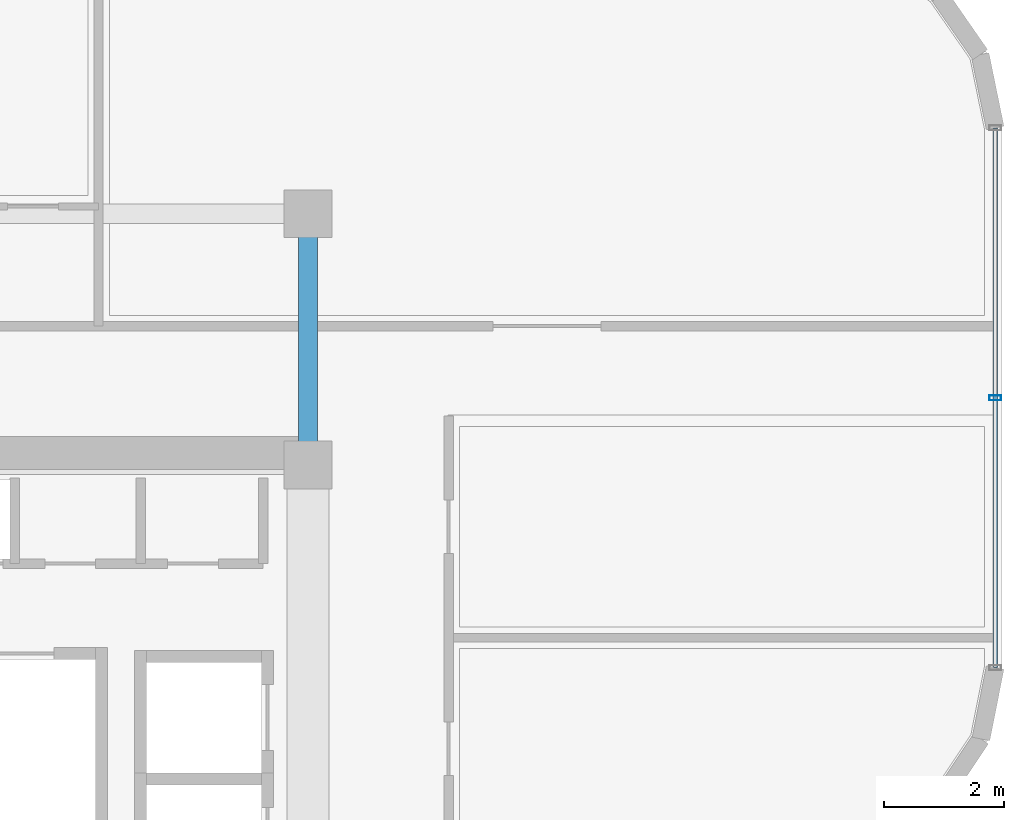
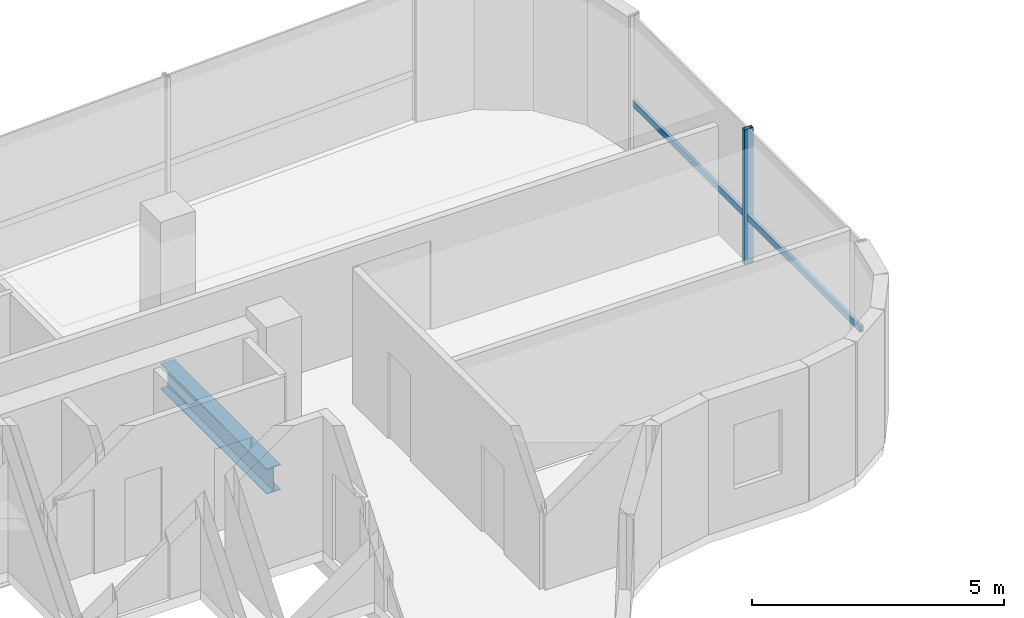
# One storey, part 9 of 20: 2 members, 1 beam, 1 element without a shape of its own.
"""IFC4 building model written with IfcOpenShell, lengths in metres."""

from ifc_helpers import new_model, si_unit, direction, frame, origin, origin_2d, place, context, subcontext, project, spatial, hollow_rectangle, i_section, extrude, source, transform, mapped, material, material_profile, profile_set, type_object, element, aggregate, save


model = new_model("IFC4")

# Units and contexts
model_context = context("Model", 3, precision=1e-05, world=origin(), true_north=direction((0.0, 1.0)))
body_context = subcontext(model_context, "Body", "Model", "MODEL_VIEW")
ifc_project = project(units=[si_unit("LENGTHUNIT", "METRE"), si_unit("AREAUNIT", "SQUARE_METRE"), si_unit("VOLUMEUNIT", "CUBIC_METRE"), si_unit("PLANEANGLEUNIT", "RADIAN"), si_unit("MASSUNIT", "GRAM", prefix="KILO")], contexts=[model_context])

# Site, building, storey
site_placement = place(None, origin())
site = spatial("IfcSite", under=ifc_project, at=site_placement, CompositionType="ELEMENT")
building_placement = place(site_placement, origin())
building = spatial("IfcBuilding", under=site, at=building_placement, Name="Valdorenza Pilgrim Sanctuary Tower", CompositionType="ELEMENT")
storey_placement = place(building_placement, frame((0.0, 0.0, 280.0)))
storey = spatial("IfcBuildingStorey", under=building, at=storey_placement, Name="L73", CompositionType="ELEMENT", Elevation=280.0)

# Beam
ifc_material_1 = material(Name="Steel ASTM A992 Grade 50", Category="steel")
ifc_material_profile_1 = material_profile(ifc_material_1, i_section(OverallWidth=0.323974609375, OverallDepth=0.611083984375, WebThickness=0.0126953125, FlangeThickness=0.01904296875, at=origin_2d()), Name="W24X104")
ifc_profile_set_1 = profile_set([ifc_material_profile_1], Name="Steel ASTM A992 Grade 50")
beam_type = type_object("IfcBeamType", Name="STR-BM-GRD-W24B", PredefinedType="BEAM", material=ifc_profile_set_1)
shared_shape_1 = source(origin(), body_context, "Body", "SweptSolid", [
    extrude(i_section(OverallWidth=0.323974609375, OverallDepth=0.611083984375, WebThickness=0.0126953125, FlangeThickness=0.01904296875, at=origin_2d()), origin(), (0.0, 0.0, 1.0), 4.199951171875),
])
beam_placement = place(storey_placement, frame((-12.39990234375, 10.60009765625, -0.54541015625), z_axis=(0.0, 1.0, 0.0), x_axis=(-1.0, 0.0, 0.0)))
element("IfcBeam", 1, at=beam_placement, inside=storey, type_object=beam_type, Name="L73 Core Tie Girder CA-E-N1N2", PredefinedType="BEAM", context=body_context, shape_type="MappedRepresentation", body=[
    mapped(shared_shape_1, transform((0.0, 0.0, 0.0), x_axis=(1.0, 0.0, 0.0), y_axis=(0.0, 1.0, 0.0), z_axis=(0.0, 0.0, 1.0), scale=1.0)),
])

# Curtain wall, members
ifc_material_2 = material(Name="Curtain-wall IGU glazing", Category="glass")
curtain_wall_type = type_object("IfcCurtainWallType", Name="CW-SYS-02", PredefinedType="NOTDEFINED", material=ifc_material_2)
curtain_wall_placement = place(storey_placement, origin())
curtain_wall = element("IfcCurtainWall", 2, at=curtain_wall_placement, inside=storey, type_object=curtain_wall_type, Name="L73 Curtain Wall CW-L73-1-11", PredefinedType="NOTDEFINED")
ifc_material_3 = material(Name="Anodised aluminium AW-6060", Category="aluminium")
ifc_material_profile_2 = material_profile(ifc_material_3, hollow_rectangle(XDim=0.0849609375, YDim=0.199951171875, WallThickness=0.0048828125, at=origin_2d()), Name="ALU-M 200x85x5")
ifc_profile_set_2 = profile_set([ifc_material_profile_2], Name="Anodised aluminium AW-6060")
member_type_1 = type_object("IfcMemberType", Name="CW-MUL-02", PredefinedType="MULLION", material=ifc_profile_set_2)
shared_shape_2 = source(origin(), body_context, "Body", "SweptSolid", [
    extrude(hollow_rectangle(XDim=0.0849609375, YDim=0.199951171875, WallThickness=0.0048828125, at=origin_2d()), origin(), (0.0, 0.0, 1.0), 3.260009765625),
])
member_1_placement = place(storey_placement, frame((-0.909912109375, 11.72265625, 0.0), z_axis=(0.0, 0.0, 1.0), x_axis=(0.0, -1.0, 0.0)))
member_1 = element("IfcMember", 3, at=member_1_placement, type_object=member_type_1, Name="CW-L73-1-11 Mullion 2", PredefinedType="MULLION", context=body_context, shape_type="MappedRepresentation", body=[
    mapped(shared_shape_2, transform((0.0, 0.0, 0.0), x_axis=(1.0, 0.0, 0.0), y_axis=(0.0, 1.0, 0.0), z_axis=(0.0, 0.0, 1.0), scale=1.0)),
])
ifc_material_profile_3 = material_profile(ifc_material_3, hollow_rectangle(XDim=0.074951171875, YDim=0.14990234375, WallThickness=0.00390625, at=origin_2d()), Name="ALU-T 150x75x4")
ifc_profile_set_3 = profile_set([ifc_material_profile_3], Name="Anodised aluminium AW-6060")
member_type_2 = type_object("IfcMemberType", Name="CW-TRN-02", PredefinedType="USERDEFINED", material=ifc_profile_set_3)
shared_shape_3 = source(origin(), body_context, "Body", "SweptSolid", [
    extrude(hollow_rectangle(XDim=0.074951171875, YDim=0.14990234375, WallThickness=0.00390625, at=origin_2d()), origin(), (0.0, 0.0, 1.0), 9.023681640625),
])
member_2_placement = place(storey_placement, frame((-0.909912109375, 16.234375, 1.1201171875), z_axis=(0.0, -1.0, 0.0), x_axis=(1.0, 0.0, 0.0)))
member_2 = element("IfcMember", 4, at=member_2_placement, type_object=member_type_2, Name="CW-L73-1-11 Transom 1", ObjectType="TRANSOM", PredefinedType="USERDEFINED", context=body_context, shape_type="MappedRepresentation", body=[
    mapped(shared_shape_3, transform((0.0, 0.0, 0.0), x_axis=(1.0, 0.0, 0.0), y_axis=(0.0, 1.0, 0.0), z_axis=(0.0, 0.0, 1.0), scale=1.0)),
])
aggregate(curtain_wall, [member_1, member_2])

save(model, "model.ifc")
